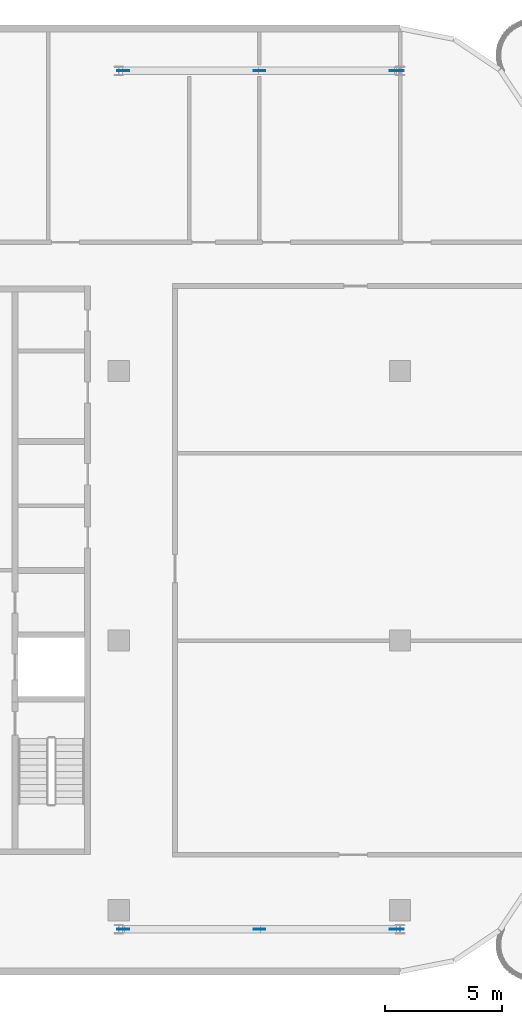
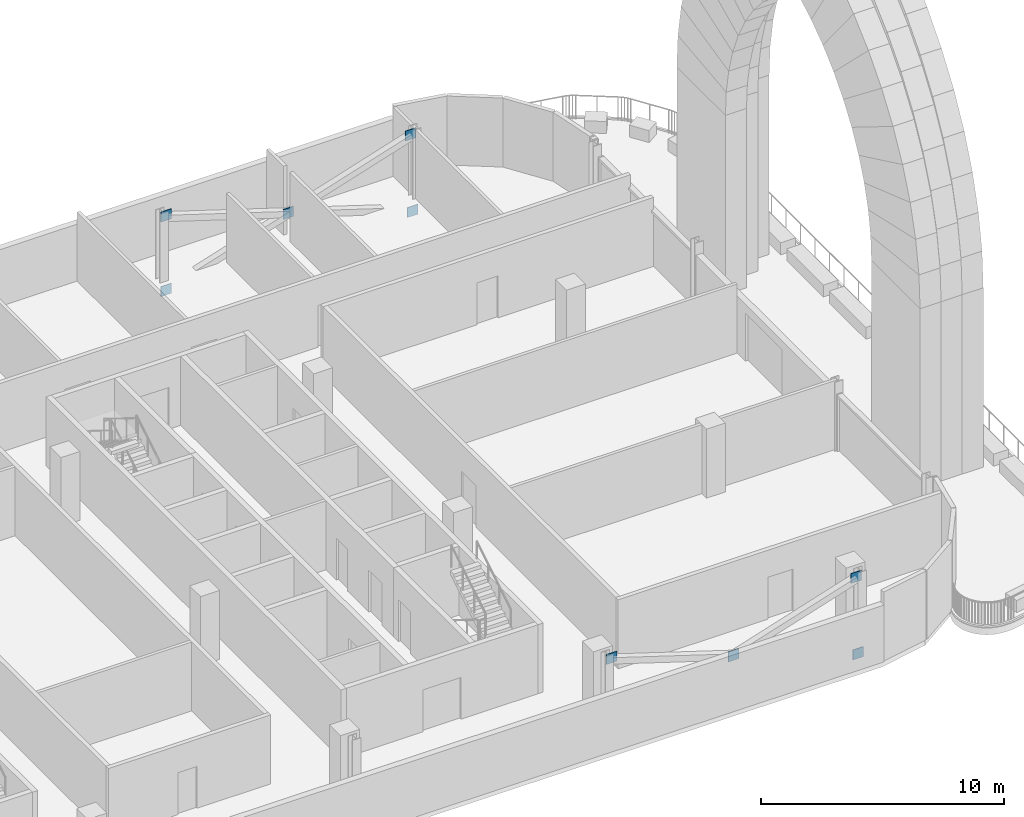
# One storey, part 23 of 30: 9 discrete accessories.
"""IFC4 building model written with IfcOpenShell, lengths in metres."""

from ifc_helpers import new_model, si_unit, direction, frame, origin, origin_2d, place, context, subcontext, project, spatial, rectangle, extrude, material, layer, layer_set, type_object, element, save


model = new_model("IFC4")

# Units and contexts
model_context = context("Model", 3, precision=1e-05, world=origin(), true_north=direction((0.0, 1.0)))
body_context = subcontext(model_context, "Body", "Model", "MODEL_VIEW")
ifc_project = project(units=[si_unit("LENGTHUNIT", "METRE"), si_unit("AREAUNIT", "SQUARE_METRE"), si_unit("VOLUMEUNIT", "CUBIC_METRE"), si_unit("PLANEANGLEUNIT", "RADIAN"), si_unit("MASSUNIT", "GRAM", prefix="KILO")], contexts=[model_context])

# Site, building, storey
site_placement = place(None, origin())
site = spatial("IfcSite", under=ifc_project, at=site_placement, CompositionType="ELEMENT")
building_placement = place(site_placement, origin())
building = spatial("IfcBuilding", under=site, at=building_placement, Name="Mahtab Terrace Research Tower", CompositionType="ELEMENT")
storey_placement = place(building_placement, frame((0.0, 0.0, 263.300048828125)))
storey = spatial("IfcBuildingStorey", under=building, at=storey_placement, Name="L64", CompositionType="ELEMENT", Elevation=263.300048828125)

# Discrete accessories
ifc_material = material(Name="Steel ASTM A992 Gr 50", Category="steel")
ifc_layer = layer(ifc_material, 0.030029296875)
ifc_layer_set = layer_set([ifc_layer], Name="Gusset plate 500x500x30")
discrete_accessory_type = type_object("IfcDiscreteAccessoryType", Name="Gusset plate 500x500x30", PredefinedType="USERDEFINED", material=ifc_layer_set)
for number, where, z_axis, x_axis, name in (
    (1, (30.197021484375, -12.306884765625, 2.906494140625), (0.0, 0.0, 1.0), (1.0, 0.0, 0.0), "Gusset plate"),
    (2, (30.197021484375, 24.306884765625, -0.831298828125), (0.0, 0.0, 1.0), (1.0, 0.0, 0.0), "Gusset plate"),
    (3, (30.197021484375, 24.306884765625, 2.906494140625), (0.0, 0.0, 1.0), (1.0, 0.0, 0.0), "Gusset plate"),
    (4, (36.0, -12.306884765625, 1.00634765625), (0.0, 0.0, 1.0), (1.0, 0.0, 0.0), "Gusset plate"),
    (5, (36.0, 24.306884765625, 1.00634765625), (0.0, 0.0, 1.0), (1.0, 0.0, 0.0), "Gusset plate"),
    (6, (41.901611328125, -12.306884765625, -0.9609375), (0.0, 0.0, 1.0), (1.0, 0.0, 0.0), "Gusset plate"),
    (7, (41.80322265625, -12.306884765625, 2.906494140625), (0.0, 0.0, 1.0), (1.0, 0.0, 0.0), "Gusset plate"),
    (8, (41.901611328125, 24.306884765625, -0.9609375), (0.0, 0.0, 1.0), (1.0, 0.0, 0.0), "Gusset plate"),
    (9, (41.80322265625, 24.306884765625, 2.906494140625), (0.0, 0.0, 1.0), (1.0, 0.0, 0.0), "Gusset plate"),
):
    element("IfcDiscreteAccessory", number, at=place(storey_placement, frame(where, z_axis=z_axis, x_axis=x_axis)), inside=storey, type_object=discrete_accessory_type, Name=name, ObjectType="GUSSET PLATE", PredefinedType="USERDEFINED", context=body_context, shape_type="SweptSolid", body=[
        extrude(rectangle(XDim=0.5, YDim=0.030029296875, at=origin_2d()), origin(), (0.0, 0.0, 1.0), 0.5),
    ])

save(model, "model.ifc")
